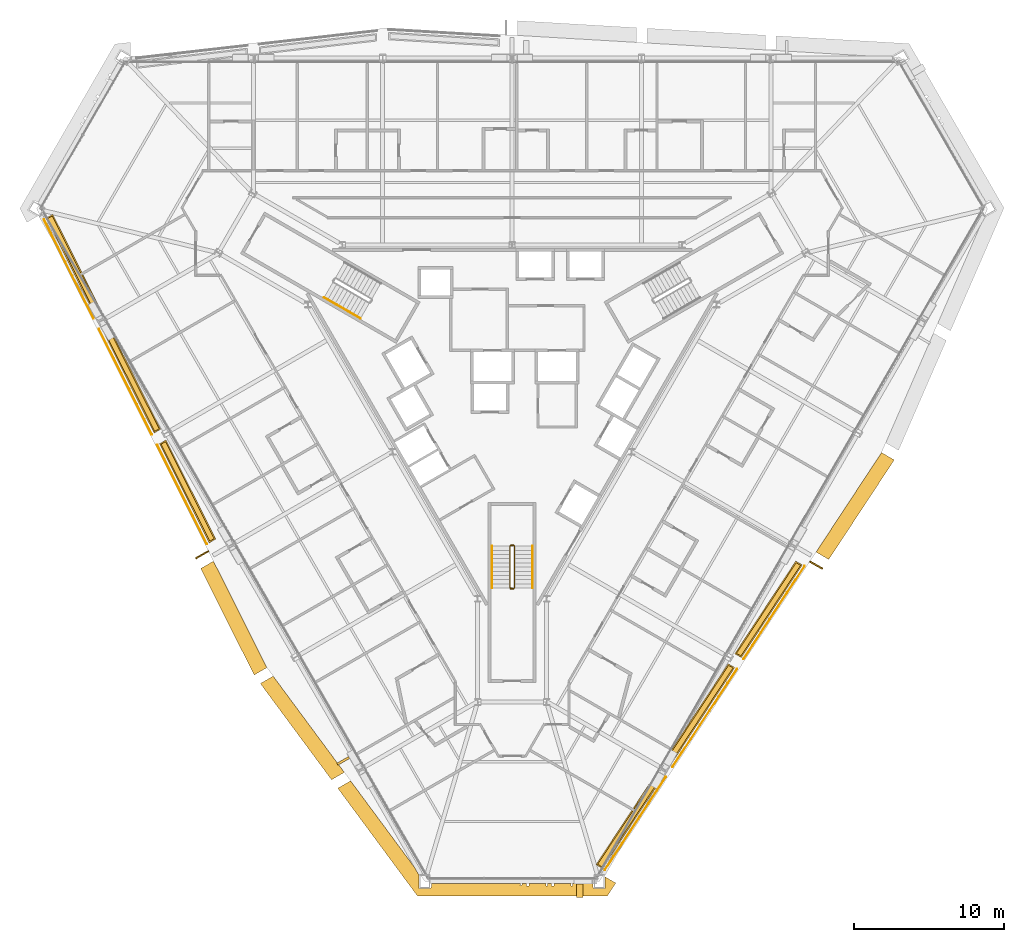
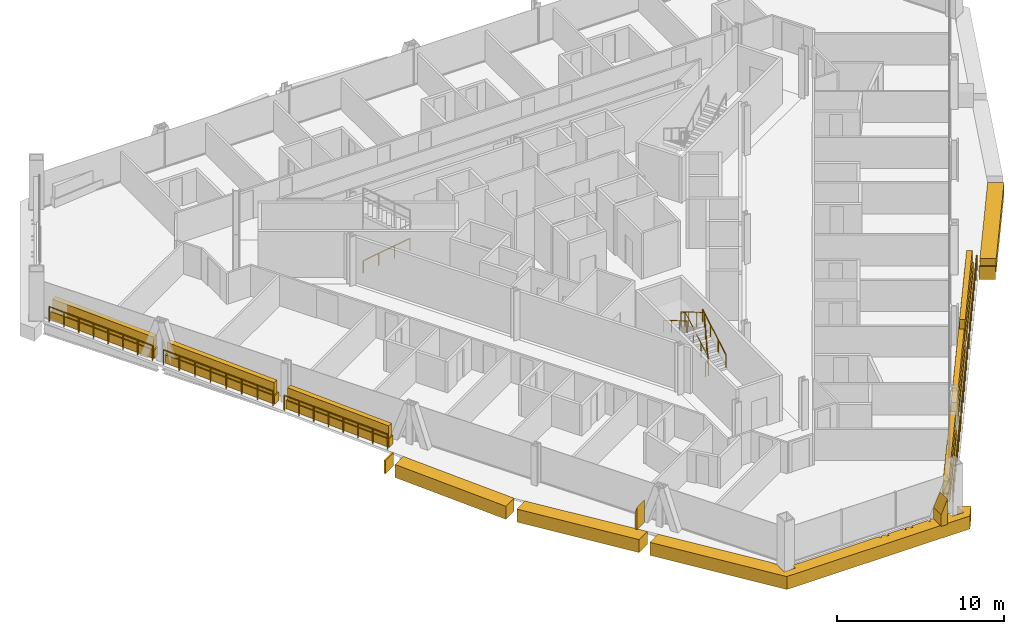
# One storey, part 17 of 18: 20 coverings, 10 railings.
"""IFC4 building model written with IfcOpenShell, lengths in metres."""

from ifc_helpers import new_model, si_unit, direction, frame, origin, origin_2d, place, context, subcontext, project, spatial, polyline, circle, outline, extrude, material, layer, layer_set, type_object, element, save


model = new_model("IFC4")

# Units and contexts
model_context = context("Model", 3, precision=1e-05, world=origin(), true_north=direction((0.0, 1.0)))
body_context = subcontext(model_context, "Body", "Model", "MODEL_VIEW")
ifc_project = project(units=[si_unit("LENGTHUNIT", "METRE"), si_unit("AREAUNIT", "SQUARE_METRE"), si_unit("VOLUMEUNIT", "CUBIC_METRE"), si_unit("PLANEANGLEUNIT", "RADIAN"), si_unit("MASSUNIT", "GRAM", prefix="KILO")], contexts=[model_context])

# Site, building, storey
site_placement = place(None, origin())
site = spatial("IfcSite", under=ifc_project, at=site_placement, CompositionType="ELEMENT")
building_placement = place(site_placement, origin())
building = spatial("IfcBuilding", under=site, at=building_placement, Name="Verrane Prism Tower", CompositionType="ELEMENT")
storey_placement = place(building_placement, frame((0.0, 0.0, 83.60009765625)))
storey = spatial("IfcBuildingStorey", under=building, at=storey_placement, Name="L19", CompositionType="ELEMENT", Elevation=83.60009765625)

# Coverings
ifc_material_1 = material(Name="Planting medium in stone kerb", Category="masonry")
covering_type_1 = type_object("IfcCoveringType", Name="Planter bed 600", PredefinedType="USERDEFINED", material=ifc_material_1)
covering_1_placement = place(storey_placement, origin())
element("IfcCovering", 1, at=covering_1_placement, inside=storey, type_object=covering_type_1, Name="Loggia planter SW1 L19", ObjectType="PLANTER", PredefinedType="USERDEFINED", context=body_context, shape_type="SweptSolid", body=[
    extrude(outline(polyline([(-31.07275390625, 10.980224609375), (-27.755859375, 4.371337890625), (-27.322998046875, 4.621337890625), (-30.639892578125, 11.230224609375), (-31.07275390625, 10.980224609375)])), origin(), (0.0, 0.0, 1.0), 0.599853515625),
])
covering_2_placement = place(storey_placement, origin())
element("IfcCovering", 2, at=covering_2_placement, inside=storey, type_object=covering_type_1, Name="Loggia planter SW2 L19", ObjectType="PLANTER", PredefinedType="USERDEFINED", context=body_context, shape_type="SweptSolid", body=[
    extrude(outline(polyline([(-27.396484375, 3.6552734375), (-23.87744140625, -3.3564453125), (-23.4443359375, -3.1064453125), (-26.96337890625, 3.9052734375), (-27.396484375, 3.6552734375)])), origin(), (0.0, 0.0, 1.0), 0.599853515625),
])
covering_3_placement = place(storey_placement, origin())
element("IfcCovering", 3, at=covering_3_placement, inside=storey, type_object=covering_type_1, Name="Loggia planter SW3 L19", ObjectType="PLANTER", PredefinedType="USERDEFINED", context=body_context, shape_type="SweptSolid", body=[
    extrude(outline(polyline([(-23.517822265625, -4.07275390625), (-20.200927734375, -10.681640625), (-19.76806640625, -10.431640625), (-23.0849609375, -3.82275390625), (-23.517822265625, -4.07275390625)])), origin(), (0.0, 0.0, 1.0), 0.599853515625),
])
covering_4_placement = place(storey_placement, origin())
element("IfcCovering", 4, at=covering_4_placement, inside=storey, type_object=covering_type_1, Name="Loggia planter SE1 L19", ObjectType="PLANTER", PredefinedType="USERDEFINED", context=body_context, shape_type="SweptSolid", body=[
    extrude(outline(polyline([(6.02734375, -32.39990234375), (10.09228515625, -26.222900390625), (9.6591796875, -25.972900390625), (5.59423828125, -32.14990234375), (6.02734375, -32.39990234375)])), origin(), (0.0, 0.0, 1.0), 0.599853515625),
])
covering_5_placement = place(storey_placement, origin())
element("IfcCovering", 5, at=covering_5_placement, inside=storey, type_object=covering_type_1, Name="Loggia planter SE2 L19", ObjectType="PLANTER", PredefinedType="USERDEFINED", context=body_context, shape_type="SweptSolid", body=[
    extrude(outline(polyline([(10.53271484375, -25.5537109375), (14.845458984375, -19.000244140625), (14.41259765625, -18.750244140625), (10.099853515625, -25.3037109375), (10.53271484375, -25.5537109375)])), origin(), (0.0, 0.0, 1.0), 0.599853515625),
])
covering_6_placement = place(storey_placement, origin())
element("IfcCovering", 6, at=covering_6_placement, inside=storey, type_object=covering_type_1, Name="Loggia planter SE3 L19", ObjectType="PLANTER", PredefinedType="USERDEFINED", context=body_context, shape_type="SweptSolid", body=[
    extrude(outline(polyline([(15.2861328125, -18.330810546875), (19.35107421875, -12.15380859375), (18.91796875, -11.90380859375), (14.85302734375, -18.080810546875), (15.2861328125, -18.330810546875)])), origin(), (0.0, 0.0, 1.0), 0.599853515625),
])
ifc_material_2 = material(Name="Planted shrubs and grasses", Category="other")
covering_type_2 = type_object("IfcCoveringType", Name="Planting mass 1000", PredefinedType="USERDEFINED", material=ifc_material_2)
covering_7_placement = place(storey_placement, frame((0.0, 0.0, 0.599853515625)))
element("IfcCovering", 7, at=covering_7_placement, inside=storey, type_object=covering_type_2, Name="Loggia planting SW1 L19", ObjectType="PLANTING", PredefinedType="USERDEFINED", context=body_context, shape_type="SweptSolid", body=[
    extrude(outline(polyline([(-27.722412109375, 4.483154296875), (-27.42822265625, 4.653076171875), (-30.67333984375, 11.118408203125), (-30.967529296875, 10.948486328125), (-27.722412109375, 4.483154296875)])), origin(), (0.0, 0.0, 1.0), 0.900146484375),
])
covering_8_placement = place(storey_placement, frame((0.0, 0.0, 0.599853515625)))
element("IfcCovering", 8, at=covering_8_placement, inside=storey, type_object=covering_type_2, Name="Loggia planting SW2 L19", ObjectType="PLANTING", PredefinedType="USERDEFINED", context=body_context, shape_type="SweptSolid", body=[
    extrude(outline(polyline([(-23.843994140625, -3.244873046875), (-23.5498046875, -3.074951171875), (-26.996826171875, 3.79345703125), (-27.291015625, 3.62353515625), (-23.843994140625, -3.244873046875)])), origin(), (0.0, 0.0, 1.0), 0.900146484375),
])
covering_9_placement = place(storey_placement, frame((0.0, 0.0, 0.599853515625)))
element("IfcCovering", 9, at=covering_9_placement, inside=storey, type_object=covering_type_2, Name="Loggia planting SW3 L19", ObjectType="PLANTING", PredefinedType="USERDEFINED", context=body_context, shape_type="SweptSolid", body=[
    extrude(outline(polyline([(-20.16748046875, -10.56982421875), (-19.873291015625, -10.39990234375), (-23.118408203125, -3.9345703125), (-23.41259765625, -4.1044921875), (-20.16748046875, -10.56982421875)])), origin(), (0.0, 0.0, 1.0), 0.900146484375),
])
covering_10_placement = place(storey_placement, frame((0.0, 0.0, 0.599853515625)))
element("IfcCovering", 10, at=covering_10_placement, inside=storey, type_object=covering_type_2, Name="Loggia planting SE1 L19", ObjectType="PLANTING", PredefinedType="USERDEFINED", context=body_context, shape_type="SweptSolid", body=[
    extrude(outline(polyline([(9.978759765625, -26.25), (9.6845703125, -26.080078125), (5.707763671875, -32.123046875), (6.001953125, -32.29296875), (9.978759765625, -26.25)])), origin(), (0.0, 0.0, 1.0), 0.900146484375),
])
covering_11_placement = place(storey_placement, frame((0.0, 0.0, 0.599853515625)))
element("IfcCovering", 11, at=covering_11_placement, inside=storey, type_object=covering_type_2, Name="Loggia planting SE2 L19", ObjectType="PLANTING", PredefinedType="USERDEFINED", context=body_context, shape_type="SweptSolid", body=[
    extrude(outline(polyline([(14.73193359375, -19.027099609375), (14.437744140625, -18.857177734375), (10.21337890625, -25.276611328125), (10.507568359375, -25.446533203125), (14.73193359375, -19.027099609375)])), origin(), (0.0, 0.0, 1.0), 0.900146484375),
])
covering_12_placement = place(storey_placement, frame((0.0, 0.0, 0.599853515625)))
element("IfcCovering", 12, at=covering_12_placement, inside=storey, type_object=covering_type_2, Name="Loggia planting SE3 L19", ObjectType="PLANTING", PredefinedType="USERDEFINED", context=body_context, shape_type="SweptSolid", body=[
    extrude(outline(polyline([(19.237548828125, -12.1806640625), (18.943359375, -12.0107421875), (14.966552734375, -18.0537109375), (15.2607421875, -18.2236328125), (19.237548828125, -12.1806640625)])), origin(), (0.0, 0.0, 1.0), 0.900146484375),
])

# Railings
ifc_material_3 = material(Name="Steel A36 rail and posts, no infill", Category="steel")
railing_type_1 = type_object("IfcRailingType", Name="Stair guard 1100 steel rail and posts", PredefinedType="GUARDRAIL", material=ifc_material_3)
railing_1_placement = place(storey_placement, frame((0.14990234375, -13.699951171875, 0.16357421875)))
element("IfcRailing", 13, at=railing_1_placement, inside=storey, type_object=railing_type_1, Name="Stair 3 guard", PredefinedType="GUARDRAIL", context=body_context, shape_type="SweptSolid", body=[
    extrude(circle(Radius=0.02392578125, at=origin_2d()), frame((0.0, 0.0, 1.076171875), z_axis=(0.0, 0.863393664356, 0.504530851732), x_axis=(-1.0, 0.0, 0.0)), (0.0, 0.0, 1.0), 3.2431640625),
    extrude(circle(Radius=0.02392578125, at=origin_2d()), frame((0.0, 2.800048828125, 2.71240234375), z_axis=(-0.707106781187, 0.707106781187, 0.0), x_axis=(-0.707106781187, -0.707106781187, 0.0)), (0.0, 0.0, 1.0), 0.0703125),
    extrude(circle(Radius=0.02392578125, at=origin_2d()), frame((-0.0498046875, 2.849853515625, 2.71240234375), z_axis=(-1.0, 0.0, 0.0), x_axis=(0.0, -1.0, 0.0)), (0.0, 0.0, 1.0), 0.2001953125),
    extrude(circle(Radius=0.02392578125, at=origin_2d()), frame((-0.25, 2.849853515625, 2.71240234375), z_axis=(-0.279301935624, -0.279301935624, 0.918684307863), x_axis=(0.707106781187, -0.707106781187, 0.0)), (0.0, 0.0, 1.0), 0.17822265625),
    extrude(circle(Radius=0.02392578125, at=origin_2d()), frame((-0.2998046875, 2.800048828125, 2.8759765625), z_axis=(0.0, -0.863393664356, 0.504530851732), x_axis=(1.0, 0.0, 0.0)), (0.0, 0.0, 1.0), 3.2431640625),
    extrude(circle(Radius=0.02392578125, at=origin_2d()), frame((-0.2998046875, 0.0, 4.51220703125), z_axis=(0.069273741535, -0.013868278335, -0.997501288014), x_axis=(0.196300278283, 0.98054382908, 0.0)), (0.0, 0.0, 1.0), 3.60888671875),
    extrude(circle(Radius=0.02392578125, at=origin_2d()), frame((-0.0498046875, -0.050048828125, 0.91259765625), z_axis=(-1.0, 0.0, 0.0), x_axis=(0.0, -1.0, 0.0)), (0.0, 0.0, 1.0), 0.2001953125),
    extrude(circle(Radius=0.02099609375, at=origin_2d()), origin(), (0.0, 0.0, 1.0), 1.052001953125),
    extrude(circle(Radius=0.02099609375, at=origin_2d()), frame((0.0, 0.933349609375, 0.54541015625)), (0.0, 0.0, 1.0), 1.052001953125),
    extrude(circle(Radius=0.02099609375, at=origin_2d()), frame((0.0, 1.86669921875, 1.0908203125)), (0.0, 0.0, 1.0), 1.052001953125),
    extrude(circle(Radius=0.02099609375, at=origin_2d()), frame((0.0, 2.800048828125, 1.63623046875)), (0.0, 0.0, 1.0), 1.052001953125),
    extrude(circle(Radius=0.02099609375, at=origin_2d()), frame((-0.0498046875, 2.849853515625, 1.63623046875)), (0.0, 0.0, 1.0), 1.052001953125),
    extrude(circle(Radius=0.02099609375, at=origin_2d()), frame((-0.25, 2.849853515625, 1.63623046875)), (0.0, 0.0, 1.0), 1.052001953125),
    extrude(circle(Radius=0.02099609375, at=origin_2d()), frame((-0.2998046875, 2.800048828125, 1.800048828125)), (0.0, 0.0, 1.0), 1.052001953125),
    extrude(circle(Radius=0.02099609375, at=origin_2d()), frame((-0.2998046875, 1.86669921875, 2.345458984375)), (0.0, 0.0, 1.0), 1.052001953125),
    extrude(circle(Radius=0.02099609375, at=origin_2d()), frame((-0.2998046875, 0.933349609375, 2.890869140625)), (0.0, 0.0, 1.0), 1.052001953125),
    extrude(circle(Radius=0.02099609375, at=origin_2d()), frame((-0.2998046875, 0.0, 3.436279296875)), (0.0, 0.0, 1.0), 1.052001953125),
    extrude(circle(Radius=0.02099609375, at=origin_2d()), frame((-0.2373046875, -0.012451171875, 2.536376953125)), (0.0, 0.0, 1.0), 1.052001953125),
    extrude(circle(Radius=0.02099609375, at=origin_2d()), frame((-0.1748046875, -0.02490234375, 1.63623046875)), (0.0, 0.0, 1.0), 1.052001953125),
    extrude(circle(Radius=0.02099609375, at=origin_2d()), frame((-0.1123046875, -0.03759765625, 0.736328125)), (0.0, 0.0, 1.0), 1.052001953125),
    extrude(circle(Radius=0.02099609375, at=origin_2d()), frame((-0.0498046875, -0.050048828125, -0.16357421875)), (0.0, 0.0, 1.0), 1.052001953125),
    extrude(circle(Radius=0.02099609375, at=origin_2d()), frame((-0.25, -0.050048828125, -0.16357421875)), (0.0, 0.0, 1.0), 1.052001953125),
])
ifc_material_4 = material(Name="Steel A36 tube", Category="steel")
railing_type_2 = type_object("IfcRailingType", Name="Stair handrail 900 steel tube", PredefinedType="HANDRAIL", material=ifc_material_4)
railing_2_placement = place(storey_placement, frame((-12.53955078125, 5.680908203125, 0.16357421875)))
element("IfcRailing", 14, at=railing_2_placement, inside=storey, type_object=railing_type_2, Name="Stair 2 handrail", PredefinedType="HANDRAIL", context=body_context, shape_type="SweptSolid", body=[
    extrude(circle(Radius=0.02392578125, at=origin_2d()), frame((0.0, 0.0, 0.8759765625), z_axis=(0.747693913401, -0.431738279637, 0.504535300807), x_axis=(0.500049511043, 0.865996816683, 0.0)), (0.0, 0.0, 1.0), 3.2431640625),
    extrude(circle(Radius=0.02099609375, at=origin_2d()), origin(), (0.0, 0.0, 1.0), 0.851806640625),
    extrude(circle(Radius=0.02099609375, at=origin_2d()), frame((0.808349609375, -0.466796875, 0.54541015625)), (0.0, 0.0, 1.0), 0.851806640625),
    extrude(circle(Radius=0.02099609375, at=origin_2d()), frame((1.616455078125, -0.933349609375, 1.0908203125)), (0.0, 0.0, 1.0), 0.851806640625),
    extrude(circle(Radius=0.02099609375, at=origin_2d()), frame((2.4248046875, -1.400146484375, 1.63623046875)), (0.0, 0.0, 1.0), 0.851806640625),
])
railing_3_placement = place(storey_placement, frame((1.35009765625, -13.699951171875, 0.16357421875)))
element("IfcRailing", 15, at=railing_3_placement, inside=storey, type_object=railing_type_2, Name="Stair 3 handrail", PredefinedType="HANDRAIL", context=body_context, shape_type="SweptSolid", body=[
    extrude(circle(Radius=0.02392578125, at=origin_2d()), frame((0.0, 0.0, 0.8759765625), z_axis=(0.0, 0.863393664356, 0.504530851732), x_axis=(-1.0, 0.0, 0.0)), (0.0, 0.0, 1.0), 3.2431640625),
    extrude(circle(Radius=0.02099609375, at=origin_2d()), origin(), (0.0, 0.0, 1.0), 0.851806640625),
    extrude(circle(Radius=0.02099609375, at=origin_2d()), frame((0.0, 0.933349609375, 0.54541015625)), (0.0, 0.0, 1.0), 0.851806640625),
    extrude(circle(Radius=0.02099609375, at=origin_2d()), frame((0.0, 1.86669921875, 1.0908203125)), (0.0, 0.0, 1.0), 0.851806640625),
    extrude(circle(Radius=0.02099609375, at=origin_2d()), frame((0.0, 2.800048828125, 1.63623046875)), (0.0, 0.0, 1.0), 0.851806640625),
])
railing_4_placement = place(storey_placement, frame((-1.35009765625, -10.89990234375, 1.963623046875)))
element("IfcRailing", 16, at=railing_4_placement, inside=storey, type_object=railing_type_2, Name="Stair 3 handrail", PredefinedType="HANDRAIL", context=body_context, shape_type="SweptSolid", body=[
    extrude(circle(Radius=0.02392578125, at=origin_2d()), frame((0.0, 0.0, 0.8759765625), z_axis=(0.0, -0.863393664356, 0.504530851732), x_axis=(1.0, 0.0, 0.0)), (0.0, 0.0, 1.0), 3.2431640625),
    extrude(circle(Radius=0.02099609375, at=origin_2d()), origin(), (0.0, 0.0, 1.0), 0.851806640625),
    extrude(circle(Radius=0.02099609375, at=origin_2d()), frame((0.0, -0.933349609375, 0.54541015625)), (0.0, 0.0, 1.0), 0.851806640625),
    extrude(circle(Radius=0.02099609375, at=origin_2d()), frame((0.0, -1.86669921875, 1.0908203125)), (0.0, 0.0, 1.0), 0.851806640625),
    extrude(circle(Radius=0.02099609375, at=origin_2d()), frame((0.0, -2.800048828125, 1.63623046875)), (0.0, 0.0, 1.0), 0.851806640625),
])

# Coverings
ifc_material_5 = material(Name="Warm limestone cladding", Category="masonry")
ifc_layer_1 = layer(ifc_material_5, 0.89990234375)
ifc_layer_set_1 = layer_set([ifc_layer_1], Name="Stone brace fin 900")
covering_type_3 = type_object("IfcCoveringType", Name="Stone brace fin 900", PredefinedType="CLADDING", material=ifc_layer_set_1)
covering_13_placement = place(storey_placement, frame((-11.30810546875, -25.157470703125, 0.0), z_axis=(0.0, 0.0, 1.0), x_axis=(0.498201091901, -0.867061515712, 0.0)))
element("IfcCovering", 17, at=covering_13_placement, inside=storey, type_object=covering_type_3, Name="Stone brace fin SW5 L19", PredefinedType="CLADDING", context=body_context, shape_type="SweptSolid", body=[
    extrude(outline(polyline([(0.0, 0.0), (0.153076171875, 0.0), (0.153076171875, 1.643798828125), (0.0, 1.18359375), (0.0, 0.0)])), frame((0.0, 0.449951171875, 0.0), z_axis=(0.0, -1.0, 0.0), x_axis=(1.0, 0.0, 0.0)), (0.0, 0.0, 1.0), 0.89990234375),
])
covering_14_placement = place(storey_placement, frame((4.291259765625, -33.8876953125, 0.0), z_axis=(0.0, 0.0, 1.0), x_axis=(1.0, 0.0, 0.0)))
element("IfcCovering", 18, at=covering_14_placement, inside=storey, type_object=covering_type_3, Name="Stone brace fin S1 L19", PredefinedType="CLADDING", context=body_context, shape_type="SweptSolid", body=[
    extrude(outline(polyline([(0.0, 0.0), (0.443115234375, 0.0), (0.443115234375, 1.837646484375), (0.0, 0.85205078125), (0.0, 0.0)])), frame((0.0, 0.449951171875, 0.0), z_axis=(0.0, -1.0, 0.0), x_axis=(1.0, 0.0, 0.0)), (0.0, 0.0, 1.0), 0.89990234375),
])
ifc_material_6 = material(Name="Warm limestone cladding", Category="masonry")
ifc_layer_2 = layer(ifc_material_6, 0.449951171875)
ifc_layer_set_2 = layer_set([ifc_layer_2], Name="Stone spandrel band 450")
covering_type_4 = type_object("IfcCoveringType", Name="Stone spandrel band 450", PredefinedType="CLADDING", material=ifc_layer_set_2)
covering_15_placement = place(storey_placement, frame((0.0, 0.0, -0.9501953125)))
element("IfcCovering", 19, at=covering_15_placement, inside=storey, type_object=covering_type_4, Name="Stone spandrel band L19 part 2", PredefinedType="CLADDING", context=body_context, shape_type="SweptSolid", body=[
    extrude(outline(polyline([(6.34619140625, -34.2392578125), (6.915283203125, -33.37451171875), (6.199951171875, -32.961669921875), (6.199951171875, -33.739990234375), (5.43994140625, -33.739990234375), (5.43994140625, -33.718017578125), (5.392822265625, -33.634521484375), (5.392822265625, -33.39453125), (4.446533203125, -33.39453125), (4.446533203125, -33.56005859375), (4.291259765625, -33.56005859375), (4.291259765625, -33.39453125), (4.019287109375, -33.39453125), (4.019287109375, -33.56005859375), (3.923095703125, -33.56005859375), (3.923095703125, -33.39453125), (2.79150390625, -33.39453125), (2.79150390625, -33.56005859375), (2.632080078125, -33.56005859375), (2.632080078125, -33.39453125), (2.3564453125, -33.39453125), (2.3564453125, -33.56005859375), (2.26025390625, -33.56005859375), (2.26025390625, -33.39453125), (1.128662109375, -33.39453125), (1.128662109375, -33.56005859375), (0.96923828125, -33.56005859375), (0.96923828125, -33.39453125), (0.666015625, -33.39453125), (0.63134765625, -33.552978515625), (0.53662109375, -33.5322265625), (0.56689453125, -33.39453125), (-5.392822265625, -33.39453125), (-5.392822265625, -33.634521484375), (-5.43994140625, -33.718017578125), (-5.43994140625, -33.739990234375), (-6.199951171875, -33.739990234375), (-6.199951171875, -32.867919921875), (-6.521484375, -32.31103515625), (-10.7744140625, -26.55908203125), (-11.626953125, -27.051513671875), (-6.312255859375, -34.2392578125), (6.34619140625, -34.2392578125)])), origin(), (0.0, 0.0, 1.0), 0.9501953125),
])
covering_16_placement = place(storey_placement, frame((0.0, 0.0, -0.9501953125)))
element("IfcCovering", 20, at=covering_16_placement, inside=storey, type_object=covering_type_4, Name="Stone spandrel band L19 part 4", PredefinedType="CLADDING", context=body_context, shape_type="SweptSolid", body=[
    extrude(outline(polyline([(-20.770263671875, -12.395751953125), (-17.2060546875, -19.4970703125), (-16.357666015625, -19.007080078125), (-19.921630859375, -11.906005859375), (-20.770263671875, -12.395751953125)])), origin(), (0.0, 0.0, 1.0), 0.9501953125),
])
covering_17_placement = place(storey_placement, frame((0.0, 0.0, -0.9501953125)))
element("IfcCovering", 21, at=covering_17_placement, inside=storey, type_object=covering_type_4, Name="Stone spandrel band L19 part 5", PredefinedType="CLADDING", context=body_context, shape_type="SweptSolid", body=[
    extrude(outline(polyline([(-16.7919921875, -20.066162109375), (-12.0458984375, -26.485107421875), (-11.193359375, -25.992919921875), (-15.939453125, -19.573974609375), (-16.7919921875, -20.066162109375)])), origin(), (0.0, 0.0, 1.0), 0.9501953125),
])
covering_18_placement = place(storey_placement, frame((0.0, 0.0, -0.9501953125)))
element("IfcCovering", 22, at=covering_18_placement, inside=storey, type_object=covering_type_4, Name="Stone spandrel band L19 part 6", PredefinedType="CLADDING", context=body_context, shape_type="SweptSolid", body=[
    extrude(outline(polyline([(24.639404296875, -4.66259765625), (20.271728515625, -11.2998046875), (21.1201171875, -11.78955078125), (25.488037109375, -5.15234375), (24.639404296875, -4.66259765625)])), origin(), (0.0, 0.0, 1.0), 0.9501953125),
])
covering_19_placement = place(storey_placement, frame((0.0, 0.0, -0.9501953125)))
element("IfcCovering", 23, at=covering_19_placement, inside=storey, type_object=covering_type_4, Name="Stone spandrel band L19 part 9", PredefinedType="CLADDING", context=body_context, shape_type="SweptSolid", body=[
    extrude(outline(polyline([(-20.281005859375, -11.189697265625), (-21.129638671875, -11.6796875), (-21.084716796875, -11.76904296875), (-20.236083984375, -11.279296875), (-20.281005859375, -11.189697265625)])), origin(), (0.0, 0.0, 1.0), 0.9501953125),
])
covering_20_placement = place(storey_placement, frame((0.0, 0.0, -0.9501953125)))
element("IfcCovering", 24, at=covering_20_placement, inside=storey, type_object=covering_type_4, Name="Stone spandrel band L19 part 10", PredefinedType="CLADDING", context=body_context, shape_type="SweptSolid", body=[
    extrude(outline(polyline([(19.8310546875, -11.968994140625), (20.6796875, -12.458984375), (20.734619140625, -12.375244140625), (19.88623046875, -11.885498046875), (19.8310546875, -11.968994140625)])), origin(), (0.0, 0.0, 1.0), 0.9501953125),
])

# Railings
ifc_material_7 = material(Name="Stainless steel and laminated glass", Category="steel")
railing_type_3 = type_object("IfcRailingType", Name="Terrace guard 1100", PredefinedType="GUARDRAIL", material=ifc_material_7)
railing_5_placement = place(storey_placement, frame((-31.228515625, 10.89013671875, 0.0)))
element("IfcRailing", 25, at=railing_5_placement, inside=storey, type_object=railing_type_3, Name="Loggia guard SW1 L19", PredefinedType="GUARDRAIL", context=body_context, shape_type="SweptSolid", body=[
    extrude(circle(Radius=0.02392578125, at=origin_2d()), frame((0.0, 0.0, 1.076171875), z_axis=(0.448547017888, -0.893759236452, 0.0), x_axis=(0.893759236452, 0.448547017888, 0.0)), (0.0, 0.0, 1.0), 7.394287109375),
    extrude(circle(Radius=0.02099609375, at=origin_2d()), origin(), (0.0, 0.0, 1.0), 1.052001953125),
    extrude(circle(Radius=0.02099609375, at=origin_2d()), frame((0.473876953125, -0.944091796875, 0.0)), (0.0, 0.0, 1.0), 1.052001953125),
    extrude(circle(Radius=0.02099609375, at=origin_2d()), frame((0.947509765625, -1.88818359375, 0.0)), (0.0, 0.0, 1.0), 1.052001953125),
    extrude(circle(Radius=0.02099609375, at=origin_2d()), frame((1.42138671875, -2.832275390625, 0.0)), (0.0, 0.0, 1.0), 1.052001953125),
    extrude(circle(Radius=0.02099609375, at=origin_2d()), frame((1.895263671875, -3.7763671875, 0.0)), (0.0, 0.0, 1.0), 1.052001953125),
    extrude(circle(Radius=0.02099609375, at=origin_2d()), frame((2.369140625, -4.720458984375, 0.0)), (0.0, 0.0, 1.0), 1.052001953125),
    extrude(circle(Radius=0.02099609375, at=origin_2d()), frame((2.8427734375, -5.66455078125, 0.0)), (0.0, 0.0, 1.0), 1.052001953125),
    extrude(circle(Radius=0.02099609375, at=origin_2d()), frame((3.316650390625, -6.608642578125, 0.0)), (0.0, 0.0, 1.0), 1.052001953125),
])
railing_6_placement = place(storey_placement, frame((-27.55224609375, 3.565185546875, 0.0)))
element("IfcRailing", 26, at=railing_6_placement, inside=storey, type_object=railing_type_3, Name="Loggia guard SW2 L19", PredefinedType="GUARDRAIL", context=body_context, shape_type="SweptSolid", body=[
    extrude(circle(Radius=0.02392578125, at=origin_2d()), frame((0.0, 0.0, 1.076171875), z_axis=(0.448557455684, -0.893753998005, 0.0), x_axis=(0.893753998005, 0.448557455684, 0.0)), (0.0, 0.0, 1.0), 7.84521484375),
    extrude(circle(Radius=0.02099609375, at=origin_2d()), origin(), (0.0, 0.0, 1.0), 1.052001953125),
    extrude(circle(Radius=0.02099609375, at=origin_2d()), frame((0.502685546875, -1.001708984375, 0.0)), (0.0, 0.0, 1.0), 1.052001953125),
    extrude(circle(Radius=0.02099609375, at=origin_2d()), frame((1.00537109375, -2.00341796875, 0.0)), (0.0, 0.0, 1.0), 1.052001953125),
    extrude(circle(Radius=0.02099609375, at=origin_2d()), frame((1.508056640625, -3.005126953125, 0.0)), (0.0, 0.0, 1.0), 1.052001953125),
    extrude(circle(Radius=0.02099609375, at=origin_2d()), frame((2.010986328125, -4.006591796875, 0.0)), (0.0, 0.0, 1.0), 1.052001953125),
    extrude(circle(Radius=0.02099609375, at=origin_2d()), frame((2.513671875, -5.00830078125, 0.0)), (0.0, 0.0, 1.0), 1.052001953125),
    extrude(circle(Radius=0.02099609375, at=origin_2d()), frame((3.016357421875, -6.010009765625, 0.0)), (0.0, 0.0, 1.0), 1.052001953125),
    extrude(circle(Radius=0.02099609375, at=origin_2d()), frame((3.51904296875, -7.01171875, 0.0)), (0.0, 0.0, 1.0), 1.052001953125),
])
railing_7_placement = place(storey_placement, frame((-23.673828125, -4.162841796875, 0.0)))
element("IfcRailing", 27, at=railing_7_placement, inside=storey, type_object=railing_type_3, Name="Loggia guard SW3 L19", PredefinedType="GUARDRAIL", context=body_context, shape_type="SweptSolid", body=[
    extrude(circle(Radius=0.02392578125, at=origin_2d()), frame((0.0, 0.0, 1.076171875), z_axis=(0.448573392117, -0.893745999647, 0.0), x_axis=(0.893745999647, 0.448573392117, 0.0)), (0.0, 0.0, 1.0), 7.394287109375),
    extrude(circle(Radius=0.02099609375, at=origin_2d()), origin(), (0.0, 0.0, 1.0), 1.052001953125),
    extrude(circle(Radius=0.02099609375, at=origin_2d()), frame((0.473876953125, -0.944091796875, 0.0)), (0.0, 0.0, 1.0), 1.052001953125),
    extrude(circle(Radius=0.02099609375, at=origin_2d()), frame((0.94775390625, -1.88818359375, 0.0)), (0.0, 0.0, 1.0), 1.052001953125),
    extrude(circle(Radius=0.02099609375, at=origin_2d()), frame((1.421630859375, -2.832275390625, 0.0)), (0.0, 0.0, 1.0), 1.052001953125),
    extrude(circle(Radius=0.02099609375, at=origin_2d()), frame((1.895263671875, -3.7763671875, 0.0)), (0.0, 0.0, 1.0), 1.052001953125),
    extrude(circle(Radius=0.02099609375, at=origin_2d()), frame((2.369140625, -4.720458984375, 0.0)), (0.0, 0.0, 1.0), 1.052001953125),
    extrude(circle(Radius=0.02099609375, at=origin_2d()), frame((2.843017578125, -5.66455078125, 0.0)), (0.0, 0.0, 1.0), 1.052001953125),
    extrude(circle(Radius=0.02099609375, at=origin_2d()), frame((3.31689453125, -6.608642578125, 0.0)), (0.0, 0.0, 1.0), 1.052001953125),
])
railing_8_placement = place(storey_placement, frame((6.18310546875, -32.489990234375, 0.0)))
element("IfcRailing", 28, at=railing_8_placement, inside=storey, type_object=railing_type_3, Name="Loggia guard SE1 L19", PredefinedType="GUARDRAIL", context=body_context, shape_type="SweptSolid", body=[
    extrude(circle(Radius=0.02392578125, at=origin_2d()), frame((0.0, 0.0, 1.076171875), z_axis=(0.5497226154, 0.835347260795, 0.0), x_axis=(-0.835347260795, 0.5497226154, 0.0)), (0.0, 0.0, 1.0), 7.39453125),
    extrude(circle(Radius=0.02099609375, at=origin_2d()), origin(), (0.0, 0.0, 1.0), 1.052001953125),
    extrude(circle(Radius=0.02099609375, at=origin_2d()), frame((0.580810546875, 0.88232421875, 0.0)), (0.0, 0.0, 1.0), 1.052001953125),
    extrude(circle(Radius=0.02099609375, at=origin_2d()), frame((1.161376953125, 1.764892578125, 0.0)), (0.0, 0.0, 1.0), 1.052001953125),
    extrude(circle(Radius=0.02099609375, at=origin_2d()), frame((1.7421875, 2.647216796875, 0.0)), (0.0, 0.0, 1.0), 1.052001953125),
    extrude(circle(Radius=0.02099609375, at=origin_2d()), frame((2.32275390625, 3.52978515625, 0.0)), (0.0, 0.0, 1.0), 1.052001953125),
    extrude(circle(Radius=0.02099609375, at=origin_2d()), frame((2.903564453125, 4.412109375, 0.0)), (0.0, 0.0, 1.0), 1.052001953125),
    extrude(circle(Radius=0.02099609375, at=origin_2d()), frame((3.484130859375, 5.294677734375, 0.0)), (0.0, 0.0, 1.0), 1.052001953125),
    extrude(circle(Radius=0.02099609375, at=origin_2d()), frame((4.06494140625, 6.177001953125, 0.0)), (0.0, 0.0, 1.0), 1.052001953125),
])
railing_9_placement = place(storey_placement, frame((10.688720703125, -25.6435546875, 0.0)))
element("IfcRailing", 29, at=railing_9_placement, inside=storey, type_object=railing_type_3, Name="Loggia guard SE2 L19", PredefinedType="GUARDRAIL", context=body_context, shape_type="SweptSolid", body=[
    extrude(circle(Radius=0.02392578125, at=origin_2d()), frame((0.0, 0.0, 1.076171875), z_axis=(0.549727949619, 0.835343750445, 0.0), x_axis=(-0.835343750445, 0.549727949619, 0.0)), (0.0, 0.0, 1.0), 7.84521484375),
    extrude(circle(Radius=0.02099609375, at=origin_2d()), origin(), (0.0, 0.0, 1.0), 1.052001953125),
    extrude(circle(Radius=0.02099609375, at=origin_2d()), frame((0.6162109375, 0.936279296875, 0.0)), (0.0, 0.0, 1.0), 1.052001953125),
    extrude(circle(Radius=0.02099609375, at=origin_2d()), frame((1.232177734375, 1.872314453125, 0.0)), (0.0, 0.0, 1.0), 1.052001953125),
    extrude(circle(Radius=0.02099609375, at=origin_2d()), frame((1.848388671875, 2.80859375, 0.0)), (0.0, 0.0, 1.0), 1.052001953125),
    extrude(circle(Radius=0.02099609375, at=origin_2d()), frame((2.46435546875, 3.744873046875, 0.0)), (0.0, 0.0, 1.0), 1.052001953125),
    extrude(circle(Radius=0.02099609375, at=origin_2d()), frame((3.08056640625, 4.68115234375, 0.0)), (0.0, 0.0, 1.0), 1.052001953125),
    extrude(circle(Radius=0.02099609375, at=origin_2d()), frame((3.696533203125, 5.6171875, 0.0)), (0.0, 0.0, 1.0), 1.052001953125),
    extrude(circle(Radius=0.02099609375, at=origin_2d()), frame((4.312744140625, 6.553466796875, 0.0)), (0.0, 0.0, 1.0), 1.052001953125),
])
railing_10_placement = place(storey_placement, frame((15.44189453125, -18.420654296875, 0.0)))
element("IfcRailing", 30, at=railing_10_placement, inside=storey, type_object=railing_type_3, Name="Loggia guard SE3 L19", PredefinedType="GUARDRAIL", context=body_context, shape_type="SweptSolid", body=[
    extrude(circle(Radius=0.02392578125, at=origin_2d()), frame((0.0, 0.0, 1.076171875), z_axis=(0.549737777153, 0.835337283001, 0.0), x_axis=(-0.835337283001, 0.549737777153, 0.0)), (0.0, 0.0, 1.0), 7.394287109375),
    extrude(circle(Radius=0.02099609375, at=origin_2d()), origin(), (0.0, 0.0, 1.0), 1.052001953125),
    extrude(circle(Radius=0.02099609375, at=origin_2d()), frame((0.580810546875, 0.88232421875, 0.0)), (0.0, 0.0, 1.0), 1.052001953125),
    extrude(circle(Radius=0.02099609375, at=origin_2d()), frame((1.161376953125, 1.764892578125, 0.0)), (0.0, 0.0, 1.0), 1.052001953125),
    extrude(circle(Radius=0.02099609375, at=origin_2d()), frame((1.7421875, 2.647216796875, 0.0)), (0.0, 0.0, 1.0), 1.052001953125),
    extrude(circle(Radius=0.02099609375, at=origin_2d()), frame((2.32275390625, 3.529541015625, 0.0)), (0.0, 0.0, 1.0), 1.052001953125),
    extrude(circle(Radius=0.02099609375, at=origin_2d()), frame((2.903564453125, 4.411865234375, 0.0)), (0.0, 0.0, 1.0), 1.052001953125),
    extrude(circle(Radius=0.02099609375, at=origin_2d()), frame((3.484130859375, 5.29443359375, 0.0)), (0.0, 0.0, 1.0), 1.052001953125),
    extrude(circle(Radius=0.02099609375, at=origin_2d()), frame((4.06494140625, 6.1767578125, 0.0)), (0.0, 0.0, 1.0), 1.052001953125),
])

save(model, "model.ifc")
